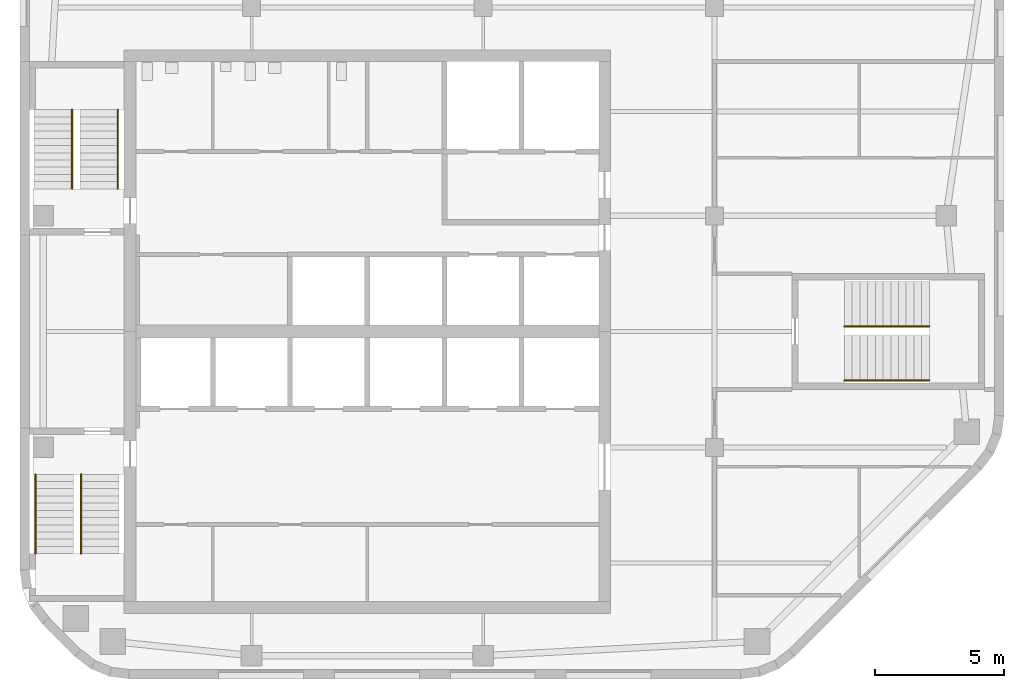
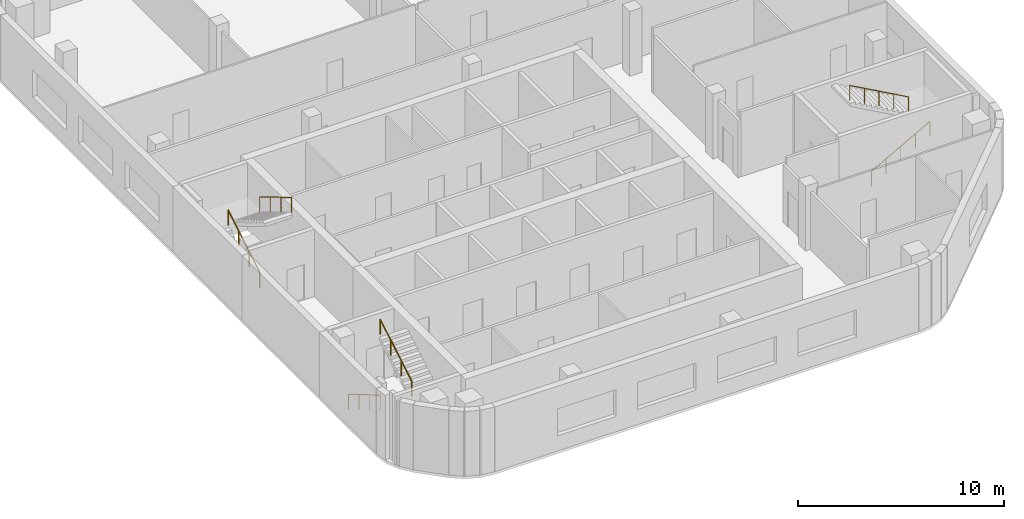
# One storey, part 6 of 7: 6 railings, 3 elements without a shape of their own.
"""IFC4 building model written with IfcOpenShell, lengths in metres."""

from ifc_helpers import new_model, si_unit, direction, frame, origin, origin_2d, place, context, subcontext, project, spatial, circle, extrude, material, type_object, element, aggregate, save


model = new_model("IFC4")

# Units and contexts
model_context = context("Model", 3, precision=1e-05, world=origin(), true_north=direction((0.0, 1.0)))
body_context = subcontext(model_context, "Body", "Model", "MODEL_VIEW")
ifc_project = project(units=[si_unit("LENGTHUNIT", "METRE"), si_unit("AREAUNIT", "SQUARE_METRE"), si_unit("VOLUMEUNIT", "CUBIC_METRE"), si_unit("PLANEANGLEUNIT", "RADIAN"), si_unit("MASSUNIT", "GRAM", prefix="KILO")], contexts=[model_context])

# Site, building, storey
site_placement = place(None, origin())
site = spatial("IfcSite", under=ifc_project, at=site_placement, CompositionType="ELEMENT")
building_placement = place(site_placement, origin())
building = spatial("IfcBuilding", under=site, at=building_placement, Name="Cinnabar Reach Civic Tower", CompositionType="ELEMENT")
storey_placement = place(building_placement, frame((0.0, 0.0, 263.0)))
storey = spatial("IfcBuildingStorey", under=building, at=storey_placement, Name="L63", CompositionType="ELEMENT", Elevation=263.0)

# Stair, railings
ifc_material_1 = material(Name="Concrete C40/50", Category="concrete")
stair_type = type_object("IfcStairType", Name="T1 Exit stair, half-turn", PredefinedType="HALF_TURN_STAIR", material=ifc_material_1)
stair_1_placement = place(storey_placement, origin())
stair_1 = element("IfcStair", 1, at=stair_1_placement, inside=storey, type_object=stair_type, Name="Stair T1-S1", PredefinedType="HALF_TURN_STAIR")
ifc_material_2 = material(Name="Stainless steel tube", Category="steel")
railing_type = type_object("IfcRailingType", Name="T1 Stair handrail, stainless tube 48", PredefinedType="HANDRAIL", material=ifc_material_2)
railing_1_placement = place(storey_placement, frame((0.6, 25.95, 0.1667)))
railing_1 = element("IfcRailing", 2, at=railing_1_placement, type_object=railing_type, Name="T1-S1 handrail 1", PredefinedType="HANDRAIL", context=body_context, shape_type="SweptSolid", body=[
    extrude(circle(Radius=0.024, at=origin_2d()), frame((0.0, 0.0, 0.876), z_axis=(0.0, -0.859296971757, 0.511476992962), x_axis=(1.0, 0.0, 0.0)), (0.0, 0.0, 1.0), 3.5843),
    extrude(circle(Radius=0.021, at=origin_2d()), origin(), (0.0, 0.0, 1.0), 0.852),
    extrude(circle(Radius=0.021, at=origin_2d()), frame((0.0, -1.0267, 0.6111)), (0.0, 0.0, 1.0), 0.852),
    extrude(circle(Radius=0.021, at=origin_2d()), frame((0.0, -2.0533, 1.2222)), (0.0, 0.0, 1.0), 0.852),
    extrude(circle(Radius=0.021, at=origin_2d()), frame((0.0, -3.08, 1.8333)), (0.0, 0.0, 1.0), 0.852),
])
railing_2_placement = place(storey_placement, frame((2.375, 22.87, 2.1667)))
railing_2 = element("IfcRailing", 3, at=railing_2_placement, type_object=railing_type, Name="T1-S1 handrail 2", PredefinedType="HANDRAIL", context=body_context, shape_type="SweptSolid", body=[
    extrude(circle(Radius=0.024, at=origin_2d()), frame((0.0, 0.0, 0.876), z_axis=(0.0, 0.859296971757, 0.511476992962), x_axis=(-1.0, 0.0, 0.0)), (0.0, 0.0, 1.0), 3.5843),
    extrude(circle(Radius=0.021, at=origin_2d()), origin(), (0.0, 0.0, 1.0), 0.852),
    extrude(circle(Radius=0.021, at=origin_2d()), frame((0.0, 1.0267, 0.6111)), (0.0, 0.0, 1.0), 0.852),
    extrude(circle(Radius=0.021, at=origin_2d()), frame((0.0, 2.0533, 1.2222)), (0.0, 0.0, 1.0), 0.852),
    extrude(circle(Radius=0.021, at=origin_2d()), frame((0.0, 3.08, 1.8333)), (0.0, 0.0, 1.0), 0.852),
])
aggregate(stair_1, [railing_1, railing_2])

stair_2_placement = place(storey_placement, origin())
stair_2 = element("IfcStair", 4, at=stair_2_placement, inside=storey, type_object=stair_type, Name="Stair T1-S2", PredefinedType="HALF_TURN_STAIR")
railing_3_placement = place(storey_placement, frame((2.025, 37.05, 0.1667)))
railing_3 = element("IfcRailing", 5, at=railing_3_placement, type_object=railing_type, Name="T1-S2 handrail 1", PredefinedType="HANDRAIL", context=body_context, shape_type="SweptSolid", body=[
    extrude(circle(Radius=0.024, at=origin_2d()), frame((0.0, 0.0, 0.876), z_axis=(0.0, 0.859296971757, 0.511476992962), x_axis=(-1.0, 0.0, 0.0)), (0.0, 0.0, 1.0), 3.5843),
    extrude(circle(Radius=0.021, at=origin_2d()), origin(), (0.0, 0.0, 1.0), 0.852),
    extrude(circle(Radius=0.021, at=origin_2d()), frame((0.0, 1.0267, 0.6111)), (0.0, 0.0, 1.0), 0.852),
    extrude(circle(Radius=0.021, at=origin_2d()), frame((0.0, 2.0533, 1.2222)), (0.0, 0.0, 1.0), 0.852),
    extrude(circle(Radius=0.021, at=origin_2d()), frame((0.0, 3.08, 1.8333)), (0.0, 0.0, 1.0), 0.852),
])
railing_4_placement = place(storey_placement, frame((3.8, 40.13, 2.1667)))
railing_4 = element("IfcRailing", 6, at=railing_4_placement, type_object=railing_type, Name="T1-S2 handrail 2", PredefinedType="HANDRAIL", context=body_context, shape_type="SweptSolid", body=[
    extrude(circle(Radius=0.024, at=origin_2d()), frame((0.0, 0.0, 0.876), z_axis=(0.0, -0.859296971757, 0.511476992962), x_axis=(1.0, 0.0, 0.0)), (0.0, 0.0, 1.0), 3.5843),
    extrude(circle(Radius=0.021, at=origin_2d()), origin(), (0.0, 0.0, 1.0), 0.852),
    extrude(circle(Radius=0.021, at=origin_2d()), frame((0.0, -1.0267, 0.6111)), (0.0, 0.0, 1.0), 0.852),
    extrude(circle(Radius=0.021, at=origin_2d()), frame((0.0, -2.0533, 1.2222)), (0.0, 0.0, 1.0), 0.852),
    extrude(circle(Radius=0.021, at=origin_2d()), frame((0.0, -3.08, 1.8333)), (0.0, 0.0, 1.0), 0.852),
])
aggregate(stair_2, [railing_3, railing_4])

stair_3_placement = place(storey_placement, origin())
stair_3 = element("IfcStair", 7, at=stair_3_placement, inside=storey, type_object=stair_type, Name="Stair T1-S3", PredefinedType="HALF_TURN_STAIR")
railing_5_placement = place(storey_placement, frame((32.05, 29.6, 0.1667)))
railing_5 = element("IfcRailing", 8, at=railing_5_placement, type_object=railing_type, Name="T1-S3 handrail 1", PredefinedType="HANDRAIL", context=body_context, shape_type="SweptSolid", body=[
    extrude(circle(Radius=0.024, at=origin_2d()), frame((0.0, 0.0, 0.876), z_axis=(0.874161024642, 0.0, 0.485636183781), x_axis=(0.0, 1.0, 0.0)), (0.0, 0.0, 1.0), 3.775),
    extrude(circle(Radius=0.021, at=origin_2d()), origin(), (0.0, 0.0, 1.0), 0.852),
    extrude(circle(Radius=0.021, at=origin_2d()), frame((0.825, 0.0, 0.4583)), (0.0, 0.0, 1.0), 0.852),
    extrude(circle(Radius=0.021, at=origin_2d()), frame((1.65, 0.0, 0.9167)), (0.0, 0.0, 1.0), 0.852),
    extrude(circle(Radius=0.021, at=origin_2d()), frame((2.475, 0.0, 1.375)), (0.0, 0.0, 1.0), 0.852),
    extrude(circle(Radius=0.021, at=origin_2d()), frame((3.3, 0.0, 1.8333)), (0.0, 0.0, 1.0), 0.852),
])
railing_6_placement = place(storey_placement, frame((35.35, 31.7, 2.1667)))
railing_6 = element("IfcRailing", 9, at=railing_6_placement, type_object=railing_type, Name="T1-S3 handrail 2", PredefinedType="HANDRAIL", context=body_context, shape_type="SweptSolid", body=[
    extrude(circle(Radius=0.024, at=origin_2d()), frame((0.0, 0.0, 0.876), z_axis=(-0.874161024642, 0.0, 0.485636183781), x_axis=(0.0, -1.0, 0.0)), (0.0, 0.0, 1.0), 3.775),
    extrude(circle(Radius=0.021, at=origin_2d()), origin(), (0.0, 0.0, 1.0), 0.852),
    extrude(circle(Radius=0.021, at=origin_2d()), frame((-0.825, 0.0, 0.4583)), (0.0, 0.0, 1.0), 0.852),
    extrude(circle(Radius=0.021, at=origin_2d()), frame((-1.65, 0.0, 0.9167)), (0.0, 0.0, 1.0), 0.852),
    extrude(circle(Radius=0.021, at=origin_2d()), frame((-2.475, 0.0, 1.375)), (0.0, 0.0, 1.0), 0.852),
    extrude(circle(Radius=0.021, at=origin_2d()), frame((-3.3, 0.0, 1.8333)), (0.0, 0.0, 1.0), 0.852),
])
aggregate(stair_3, [railing_5, railing_6])

save(model, "model.ifc")
